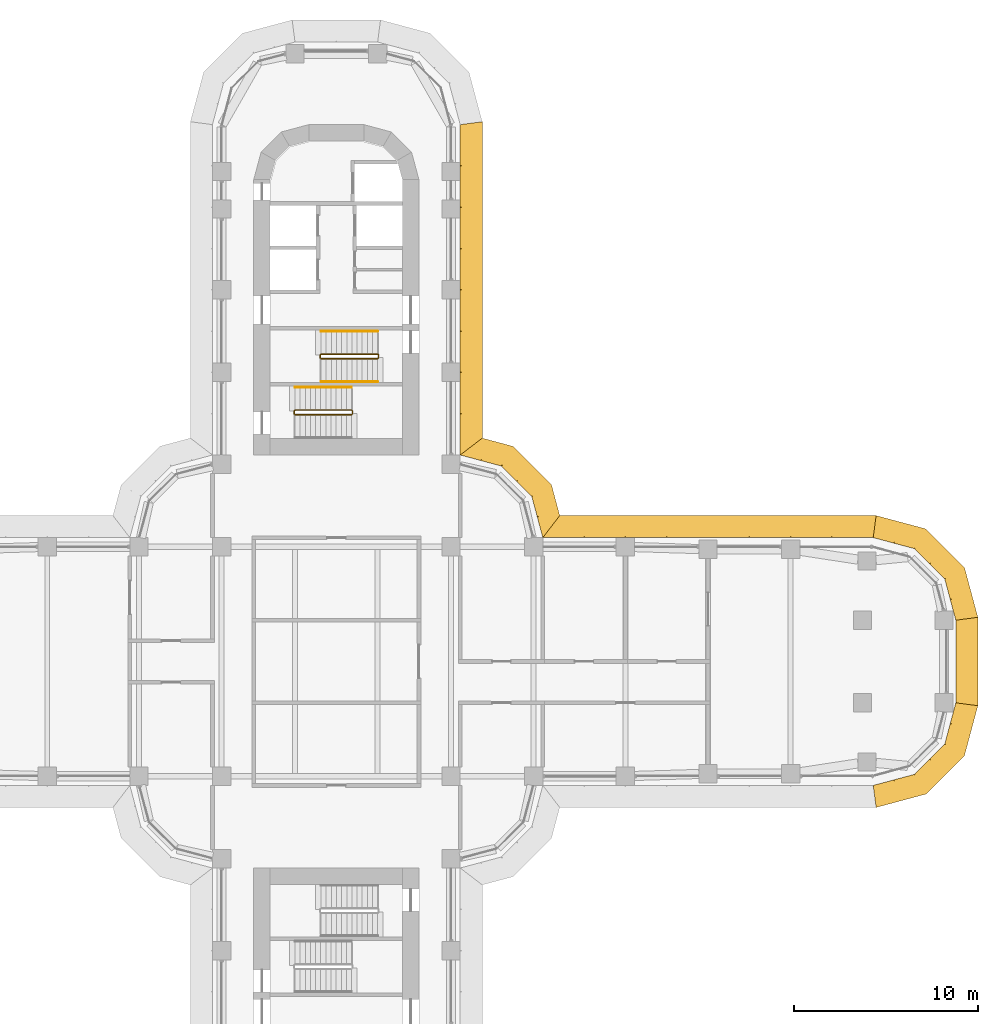
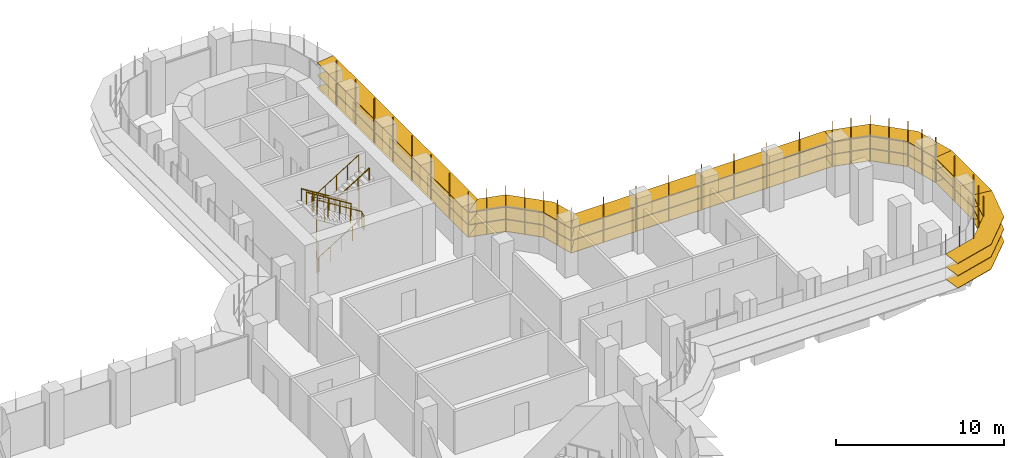
# One storey, part 22 of 23: 6 shading devices, 5 railings.
"""IFC4 building model written with IfcOpenShell, lengths in metres."""

from ifc_helpers import new_model, si_unit, direction, frame, origin, origin_2d, place, context, subcontext, project, spatial, polyline, circle, outline, extrude, faceted_brep, source, transform, mapped, material, type_object, element, save


model = new_model("IFC4")

# Units and contexts
model_context = context("Model", 3, precision=1e-05, world=origin(), true_north=direction((0.0, 1.0)))
body_context = subcontext(model_context, "Body", "Model", "MODEL_VIEW")
ifc_project = project(units=[si_unit("LENGTHUNIT", "METRE"), si_unit("AREAUNIT", "SQUARE_METRE"), si_unit("VOLUMEUNIT", "CUBIC_METRE"), si_unit("PLANEANGLEUNIT", "RADIAN"), si_unit("MASSUNIT", "GRAM", prefix="KILO")], contexts=[model_context])

# Site, building, storey
site_placement = place(None, origin())
site = spatial("IfcSite", under=ifc_project, at=site_placement, CompositionType="ELEMENT")
building_placement = place(site_placement, origin())
building = spatial("IfcBuilding", under=site, at=building_placement, Name="Zarbagh Exchange Tower", CompositionType="ELEMENT")
storey_placement = place(building_placement, frame((0.0, 0.0, 77.39990234375)))
storey = spatial("IfcBuildingStorey", under=building, at=storey_placement, Name="L17", CompositionType="ELEMENT", Elevation=77.39990234375)

# Railings
ifc_material_1 = material(Name="Stainless steel", Category="steel")
railing_type_1 = type_object("IfcRailingType", Name="Stair guard 1100 mm", PredefinedType="GUARDRAIL", material=ifc_material_1)
railing_1_placement = place(storey_placement, frame((-0.830078125, 16.5, 2.275146484375)))
element("IfcRailing", 1, at=railing_1_placement, inside=storey, type_object=railing_type_1, Name="ST1 stair guard 1", PredefinedType="GUARDRAIL", context=body_context, shape_type="SweptSolid", body=[
    extrude(circle(Radius=0.02392578125, at=origin_2d()), frame((0.0, 0.0, 1.076171875), z_axis=(0.847998304005, 0.0, 0.529998940003), x_axis=(0.0, 1.0, 0.0)), (0.0, 0.0, 1.0), 3.632080078125),
    extrude(circle(Radius=0.02392578125, at=origin_2d()), frame((3.080078125, 0.0, 3.0009765625), z_axis=(0.011914141993, 0.011914141993, -0.999858043145), x_axis=(-0.707106781187, 0.707106781187, 0.0)), (0.0, 0.0, 1.0), 4.20068359375),
    extrude(circle(Radius=0.02392578125, at=origin_2d()), frame((3.130126953125, 0.050048828125, -1.19921875), z_axis=(0.0, 1.0, 0.0), x_axis=(-1.0, 0.0, 0.0)), (0.0, 0.0, 1.0), 0.14990234375),
    extrude(circle(Radius=0.02392578125, at=origin_2d()), frame((3.130126953125, 0.199951171875, -1.19921875), z_axis=(-0.265065253269, 0.265065253269, 0.927081885822), x_axis=(-0.707106781187, -0.707106781187, 0.0)), (0.0, 0.0, 1.0), 0.188720703125),
    extrude(circle(Radius=0.02392578125, at=origin_2d()), frame((3.080078125, 0.25, -1.02392578125), z_axis=(-0.847998304005, 0.0, 0.529998940003), x_axis=(0.0, -1.0, 0.0)), (0.0, 0.0, 1.0), 3.632080078125),
    extrude(circle(Radius=0.02392578125, at=origin_2d()), frame((0.0, 0.25, 0.90087890625), z_axis=(-0.705375805398, -0.708833529934, 0.0), x_axis=(0.708833529934, -0.705375805398, 0.0)), (0.0, 0.0, 1.0), 0.070556640625),
    extrude(circle(Radius=0.02392578125, at=origin_2d()), frame((-0.0498046875, 0.199951171875, 0.90087890625), z_axis=(0.0, -1.0, 0.0), x_axis=(1.0, 0.0, 0.0)), (0.0, 0.0, 1.0), 0.14990234375),
    extrude(circle(Radius=0.02099609375, at=origin_2d()), origin(), (0.0, 0.0, 1.0), 1.052001953125),
    extrude(circle(Radius=0.02099609375, at=origin_2d()), frame((0.77001953125, 0.0, 0.481201171875)), (0.0, 0.0, 1.0), 1.052001953125),
    extrude(circle(Radius=0.02099609375, at=origin_2d()), frame((1.5400390625, 0.0, 0.96240234375)), (0.0, 0.0, 1.0), 1.052001953125),
    extrude(circle(Radius=0.02099609375, at=origin_2d()), frame((2.31005859375, 0.0, 1.44384765625)), (0.0, 0.0, 1.0), 1.052001953125),
    extrude(circle(Radius=0.02099609375, at=origin_2d()), frame((3.080078125, 0.0, 1.925048828125)), (0.0, 0.0, 1.0), 1.052001953125),
    extrude(circle(Radius=0.02099609375, at=origin_2d()), frame((3.092529296875, 0.012451171875, 0.875)), (0.0, 0.0, 1.0), 1.052001953125),
    extrude(circle(Radius=0.02099609375, at=origin_2d()), frame((3.10498046875, 0.02490234375, -0.175048828125)), (0.0, 0.0, 1.0), 1.052001953125),
    extrude(circle(Radius=0.02099609375, at=origin_2d()), frame((3.11767578125, 0.03759765625, -1.22509765625)), (0.0, 0.0, 1.0), 1.052001953125),
    extrude(circle(Radius=0.02099609375, at=origin_2d()), frame((3.130126953125, 0.050048828125, -2.275146484375)), (0.0, 0.0, 1.0), 1.052001953125),
    extrude(circle(Radius=0.02099609375, at=origin_2d()), frame((3.130126953125, 0.199951171875, -2.275146484375)), (0.0, 0.0, 1.0), 1.052001953125),
    extrude(circle(Radius=0.02099609375, at=origin_2d()), frame((3.080078125, 0.25, -2.10009765625)), (0.0, 0.0, 1.0), 1.052001953125),
    extrude(circle(Radius=0.02099609375, at=origin_2d()), frame((2.31005859375, 0.25, -1.618896484375)), (0.0, 0.0, 1.0), 1.052001953125),
    extrude(circle(Radius=0.02099609375, at=origin_2d()), frame((1.5400390625, 0.25, -1.1376953125)), (0.0, 0.0, 1.0), 1.052001953125),
    extrude(circle(Radius=0.02099609375, at=origin_2d()), frame((0.77001953125, 0.25, -0.65625)), (0.0, 0.0, 1.0), 1.052001953125),
    extrude(circle(Radius=0.02099609375, at=origin_2d()), frame((0.0, 0.25, -0.175048828125)), (0.0, 0.0, 1.0), 1.052001953125),
    extrude(circle(Radius=0.02099609375, at=origin_2d()), frame((-0.0498046875, 0.199951171875, -0.175048828125)), (0.0, 0.0, 1.0), 1.052001953125),
    extrude(circle(Radius=0.02099609375, at=origin_2d()), frame((-0.0498046875, 0.050048828125, -0.175048828125)), (0.0, 0.0, 1.0), 1.052001953125),
])
railing_2_placement = place(storey_placement, frame((0.8798828125, 13.5, 2.10009765625)))
element("IfcRailing", 2, at=railing_2_placement, inside=storey, type_object=railing_type_1, Name="ST2 stair guard 1", PredefinedType="GUARDRAIL", context=body_context, shape_type="SweptSolid", body=[
    extrude(circle(Radius=0.02392578125, at=origin_2d()), frame((0.0, 0.0, 1.076171875), z_axis=(0.0, 1.0, 0.0), x_axis=(-1.0, 0.0, 0.0)), (0.0, 0.0, 1.0), 0.14990234375),
    extrude(circle(Radius=0.02392578125, at=origin_2d()), frame((0.0, 0.14990234375, 1.076171875), z_axis=(-0.263862480399, 0.265155923931, 0.927399011991), x_axis=(-0.708833529934, -0.705375805398, 0.0)), (0.0, 0.0, 1.0), 0.188720703125),
    extrude(circle(Radius=0.02392578125, at=origin_2d()), frame((-0.0498046875, 0.199951171875, 1.2509765625), z_axis=(-0.847998304005, 0.0, 0.529998940003), x_axis=(0.0, -1.0, 0.0)), (0.0, 0.0, 1.0), 3.632080078125),
    extrude(circle(Radius=0.02392578125, at=origin_2d()), frame((-3.1298828125, 0.199951171875, 3.17626953125), z_axis=(-0.011914141993, -0.011914141993, -0.999858043145), x_axis=(0.707106781187, -0.707106781187, 0.0)), (0.0, 0.0, 1.0), 4.20068359375),
    extrude(circle(Radius=0.02392578125, at=origin_2d()), frame((-3.179931640625, 0.14990234375, -1.02392578125), z_axis=(0.0, -1.0, 0.0), x_axis=(1.0, 0.0, 0.0)), (0.0, 0.0, 1.0), 0.14990234375),
    extrude(circle(Radius=0.02392578125, at=origin_2d()), frame((-3.179931640625, 0.0, -1.02392578125), z_axis=(0.265065253269, -0.265065253269, 0.927081885822), x_axis=(0.707106781187, 0.707106781187, 0.0)), (0.0, 0.0, 1.0), 0.188720703125),
    extrude(circle(Radius=0.02392578125, at=origin_2d()), frame((-3.1298828125, -0.050048828125, -0.84912109375), z_axis=(0.847998304005, 0.0, 0.529998940003), x_axis=(0.0, 1.0, 0.0)), (0.0, 0.0, 1.0), 3.632080078125),
    extrude(circle(Radius=0.02099609375, at=origin_2d()), origin(), (0.0, 0.0, 1.0), 1.052001953125),
    extrude(circle(Radius=0.02099609375, at=origin_2d()), frame((0.0, 0.14990234375, 0.0)), (0.0, 0.0, 1.0), 1.052001953125),
    extrude(circle(Radius=0.02099609375, at=origin_2d()), frame((-0.0498046875, 0.199951171875, 0.175048828125)), (0.0, 0.0, 1.0), 1.052001953125),
    extrude(circle(Radius=0.02099609375, at=origin_2d()), frame((-0.81982421875, 0.199951171875, 0.65625)), (0.0, 0.0, 1.0), 1.052001953125),
    extrude(circle(Radius=0.02099609375, at=origin_2d()), frame((-1.58984375, 0.199951171875, 1.1376953125)), (0.0, 0.0, 1.0), 1.052001953125),
    extrude(circle(Radius=0.02099609375, at=origin_2d()), frame((-2.35986328125, 0.199951171875, 1.618896484375)), (0.0, 0.0, 1.0), 1.052001953125),
    extrude(circle(Radius=0.02099609375, at=origin_2d()), frame((-3.1298828125, 0.199951171875, 2.10009765625)), (0.0, 0.0, 1.0), 1.052001953125),
    extrude(circle(Radius=0.02099609375, at=origin_2d()), frame((-3.142333984375, 0.1875, 1.050048828125)), (0.0, 0.0, 1.0), 1.052001953125),
    extrude(circle(Radius=0.02099609375, at=origin_2d()), frame((-3.15478515625, 0.1748046875, 0.0)), (0.0, 0.0, 1.0), 1.052001953125),
    extrude(circle(Radius=0.02099609375, at=origin_2d()), frame((-3.16748046875, 0.162353515625, -1.050048828125)), (0.0, 0.0, 1.0), 1.052001953125),
    extrude(circle(Radius=0.02099609375, at=origin_2d()), frame((-3.179931640625, 0.14990234375, -2.10009765625)), (0.0, 0.0, 1.0), 1.052001953125),
    extrude(circle(Radius=0.02099609375, at=origin_2d()), frame((-3.179931640625, 0.0, -2.10009765625)), (0.0, 0.0, 1.0), 1.052001953125),
    extrude(circle(Radius=0.02099609375, at=origin_2d()), frame((-3.1298828125, -0.050048828125, -1.925048828125)), (0.0, 0.0, 1.0), 1.052001953125),
    extrude(circle(Radius=0.02099609375, at=origin_2d()), frame((-2.35986328125, -0.050048828125, -1.44384765625)), (0.0, 0.0, 1.0), 1.052001953125),
    extrude(circle(Radius=0.02099609375, at=origin_2d()), frame((-1.58984375, -0.050048828125, -0.96240234375)), (0.0, 0.0, 1.0), 1.052001953125),
    extrude(circle(Radius=0.02099609375, at=origin_2d()), frame((-0.81982421875, -0.050048828125, -0.481201171875)), (0.0, 0.0, 1.0), 1.052001953125),
    extrude(circle(Radius=0.02099609375, at=origin_2d()), frame((-0.0498046875, -0.050048828125, 0.0)), (0.0, 0.0, 1.0), 1.052001953125),
])
railing_type_2 = type_object("IfcRailingType", Name="Stair handrail 900 mm", PredefinedType="HANDRAIL", material=ifc_material_1)
railing_3_placement = place(storey_placement, frame((2.25, 18.0, 0.175048828125)))
element("IfcRailing", 3, at=railing_3_placement, inside=storey, type_object=railing_type_2, Name="ST1 stair handrail 1", PredefinedType="HANDRAIL", context=body_context, shape_type="SweptSolid", body=[
    extrude(circle(Radius=0.02392578125, at=origin_2d()), frame((0.0, 0.0, 0.8759765625), z_axis=(-0.847998304005, 0.0, 0.529998940003), x_axis=(0.0, -1.0, 0.0)), (0.0, 0.0, 1.0), 3.632080078125),
    extrude(circle(Radius=0.02099609375, at=origin_2d()), origin(), (0.0, 0.0, 1.0), 0.851806640625),
    extrude(circle(Radius=0.02099609375, at=origin_2d()), frame((-0.77001953125, 0.0, 0.481201171875)), (0.0, 0.0, 1.0), 0.851806640625),
    extrude(circle(Radius=0.02099609375, at=origin_2d()), frame((-1.5400390625, 0.0, 0.96240234375)), (0.0, 0.0, 1.0), 0.851806640625),
    extrude(circle(Radius=0.02099609375, at=origin_2d()), frame((-2.31005859375, 0.0, 1.44384765625)), (0.0, 0.0, 1.0), 0.851806640625),
    extrude(circle(Radius=0.02099609375, at=origin_2d()), frame((-3.080078125, 0.0, 1.925048828125)), (0.0, 0.0, 1.0), 0.851806640625),
])
railing_4_placement = place(storey_placement, frame((-0.830078125, 15.25, 2.275146484375)))
element("IfcRailing", 4, at=railing_4_placement, inside=storey, type_object=railing_type_2, Name="ST1 stair handrail 2", PredefinedType="HANDRAIL", context=body_context, shape_type="SweptSolid", body=[
    extrude(circle(Radius=0.02392578125, at=origin_2d()), frame((0.0, 0.0, 0.8759765625), z_axis=(0.847998304005, 0.0, 0.529998940003), x_axis=(0.0, 1.0, 0.0)), (0.0, 0.0, 1.0), 3.632080078125),
    extrude(circle(Radius=0.02099609375, at=origin_2d()), origin(), (0.0, 0.0, 1.0), 0.851806640625),
    extrude(circle(Radius=0.02099609375, at=origin_2d()), frame((0.77001953125, 0.0, 0.481201171875)), (0.0, 0.0, 1.0), 0.851806640625),
    extrude(circle(Radius=0.02099609375, at=origin_2d()), frame((1.5400390625, 0.0, 0.96240234375)), (0.0, 0.0, 1.0), 0.851806640625),
    extrude(circle(Radius=0.02099609375, at=origin_2d()), frame((2.31005859375, 0.0, 1.44384765625)), (0.0, 0.0, 1.0), 0.851806640625),
    extrude(circle(Radius=0.02099609375, at=origin_2d()), frame((3.080078125, 0.0, 1.925048828125)), (0.0, 0.0, 1.0), 0.851806640625),
])
railing_5_placement = place(storey_placement, frame((0.830078125, 14.949951171875, 2.275146484375)))
element("IfcRailing", 5, at=railing_5_placement, inside=storey, type_object=railing_type_2, Name="ST2 stair handrail 2", PredefinedType="HANDRAIL", context=body_context, shape_type="SweptSolid", body=[
    extrude(circle(Radius=0.02392578125, at=origin_2d()), frame((0.0, 0.0, 0.8759765625), z_axis=(-0.847998304005, 0.0, 0.529998940003), x_axis=(0.0, -1.0, 0.0)), (0.0, 0.0, 1.0), 3.632080078125),
    extrude(circle(Radius=0.02099609375, at=origin_2d()), origin(), (0.0, 0.0, 1.0), 0.851806640625),
    extrude(circle(Radius=0.02099609375, at=origin_2d()), frame((-0.77001953125, 0.0, 0.481201171875)), (0.0, 0.0, 1.0), 0.851806640625),
    extrude(circle(Radius=0.02099609375, at=origin_2d()), frame((-1.5400390625, 0.0, 0.96240234375)), (0.0, 0.0, 1.0), 0.851806640625),
    extrude(circle(Radius=0.02099609375, at=origin_2d()), frame((-2.31005859375, 0.0, 1.44384765625)), (0.0, 0.0, 1.0), 0.851806640625),
    extrude(circle(Radius=0.02099609375, at=origin_2d()), frame((-3.080078125, 0.0, 1.925048828125)), (0.0, 0.0, 1.0), 0.851806640625),
])

# Shading devices
ifc_material_2 = material(Name="Anodised aluminium blades and brackets", Category="aluminium")
shading_device_type = type_object("IfcShadingDeviceType", Name="SUNSHADE louvre band, 0 degree blades", PredefinedType="JALOUSIE", material=ifc_material_2)
shared_shape_1 = source(origin(), body_context, "Body", "Brep", [
    faceted_brep([(0.0, 0.0, 0.0), (0.0, 0.0, -0.0400390625), (-0.157958984375, -1.199951171875, -0.0400390625), (-0.157958984375, -1.199951171875, 0.0), (2.65087890625, -1.199951171875, 0.0), (2.65087890625, -1.199951171875, -0.0400390625), (2.329345703125, 0.0, -0.0400390625), (2.329345703125, 0.0, 0.0)], [[[0, 1, 2, 3]], [[4, 5, 6, 7]], [[0, 7, 6, 1]], [[1, 6, 5, 2]], [[2, 5, 4, 3]], [[3, 4, 7, 0]]]),
])
shared_shape_2 = source(origin(), body_context, "Body", "Brep", [
    faceted_brep([(0.0, 0.0, 0.0), (0.0, 0.0, -0.0400390625), (-0.321533203125, -1.199951171875, -0.0400390625), (-0.321533203125, -1.199951171875, 0.0), (2.65087890625, -1.199951171875, 0.0), (2.65087890625, -1.199951171875, -0.0400390625), (2.329345703125, 0.0, -0.0400390625), (2.329345703125, 0.0, 0.0)], [[[0, 1, 2, 3]], [[4, 5, 6, 7]], [[0, 7, 6, 1]], [[1, 6, 5, 2]], [[2, 5, 4, 3]], [[3, 4, 7, 0]]]),
])
shared_shape_3 = source(origin(), body_context, "Body", "Brep", [
    faceted_brep([(0.0, 0.0, 0.0), (0.0, 0.0, -0.0400390625), (-0.321533203125, -1.199951171875, -0.0400390625), (-0.321533203125, -1.199951171875, 0.0), (2.4873046875, -1.199951171875, 0.0), (2.4873046875, -1.199951171875, -0.0400390625), (2.329345703125, 0.0, -0.0400390625), (2.329345703125, 0.0, 0.0)], [[[0, 1, 2, 3]], [[4, 5, 6, 7]], [[0, 7, 6, 1]], [[1, 6, 5, 2]], [[2, 5, 4, 3]], [[3, 4, 7, 0]]]),
])
shared_shape_4 = source(origin(), body_context, "Body", "SweptSolid", [
    extrude(outline(polyline([(0.0, -0.012451171875), (0.06005859375, -0.012451171875), (0.06005859375, 0.012451171875), (0.0, 0.012451171875), (0.0, -0.012451171875)])), origin(), (0.0, 0.0, 1.0), 3.35009765625),
])
placement = place(storey_placement, origin())
element("IfcShadingDevice", 6, at=placement, inside=storey, type_object=shading_device_type, Name="SS05 sunshade band", PredefinedType="JALOUSIE", context=body_context, shape_type="MappedRepresentation", body=[
    mapped(shared_shape_1, transform((29.25, -6.75, 2.7001953125), x_axis=(0.965924289636, 0.258824779902, 0.0), y_axis=(-0.258824779902, 0.965924289636, 0.0), z_axis=(0.0, 0.0, 1.0))),
    mapped(shared_shape_1, transform((29.25, -6.75, 1.800048828125), x_axis=(0.965924289636, 0.258824779902, 0.0), y_axis=(-0.258824779902, 0.965924289636, 0.0), z_axis=(0.0, 0.0, 1.0))),
    mapped(shared_shape_1, transform((29.25, -6.75, 0.900146484375), x_axis=(0.965924289636, 0.258824779902, 0.0), y_axis=(-0.258824779902, 0.965924289636, 0.0), z_axis=(0.0, 0.0, 1.0))),
    mapped(shared_shape_2, transform((31.5, -6.147216796875, 2.7001953125), x_axis=(0.707106781187, 0.707106781187, 0.0), y_axis=(-0.707106781187, 0.707106781187, 0.0), z_axis=(0.0, 0.0, 1.0))),
    mapped(shared_shape_2, transform((31.5, -6.147216796875, 1.800048828125), x_axis=(0.707106781187, 0.707106781187, 0.0), y_axis=(-0.707106781187, 0.707106781187, 0.0), z_axis=(0.0, 0.0, 1.0))),
    mapped(shared_shape_2, transform((31.5, -6.147216796875, 0.900146484375), x_axis=(0.707106781187, 0.707106781187, 0.0), y_axis=(-0.707106781187, 0.707106781187, 0.0), z_axis=(0.0, 0.0, 1.0))),
    mapped(shared_shape_3, transform((33.147216796875, -4.5, 2.7001953125), x_axis=(0.258824779902, 0.965924289636, 0.0), y_axis=(-0.965924289636, 0.258824779902, 0.0), z_axis=(0.0, 0.0, 1.0))),
    mapped(shared_shape_3, transform((33.147216796875, -4.5, 1.800048828125), x_axis=(0.258824779902, 0.965924289636, 0.0), y_axis=(-0.965924289636, 0.258824779902, 0.0), z_axis=(0.0, 0.0, 1.0))),
    mapped(shared_shape_3, transform((33.147216796875, -4.5, 0.900146484375), x_axis=(0.258824779902, 0.965924289636, 0.0), y_axis=(-0.965924289636, 0.258824779902, 0.0), z_axis=(0.0, 0.0, 1.0))),
    mapped(shared_shape_4, transform((29.25, -6.75, 0.830078125), x_axis=(0.130529263012, -0.991444457092, 0.0), y_axis=(0.991444457092, 0.130529263012, 0.0), z_axis=(0.0, 0.0, 1.0))),
    mapped(shared_shape_4, transform((30.375, -6.448486328125, 0.830078125), x_axis=(0.258825058029, -0.96592421511, 0.0), y_axis=(0.96592421511, 0.258825058029, 0.0), z_axis=(0.0, 0.0, 1.0))),
    mapped(shared_shape_4, transform((31.5, -6.147216796875, 0.830078125), x_axis=(0.50000275701, -0.866023812018, 0.0), y_axis=(0.866023812018, 0.50000275701, 0.0), z_axis=(0.0, 0.0, 1.0))),
    mapped(shared_shape_4, transform((32.323486328125, -5.323486328125, 0.830078125), x_axis=(0.707106781187, -0.707106781187, 0.0), y_axis=(0.707106781187, 0.707106781187, 0.0), z_axis=(0.0, 0.0, 1.0))),
    mapped(shared_shape_4, transform((33.147216796875, -4.5, 0.830078125), x_axis=(0.866023812018, -0.50000275701, 0.0), y_axis=(0.50000275701, 0.866023812018, 0.0), z_axis=(0.0, 0.0, 1.0))),
    mapped(shared_shape_4, transform((33.448486328125, -3.375, 0.830078125), x_axis=(0.96592421511, -0.258825058029, 0.0), y_axis=(0.258825058029, 0.96592421511, 0.0), z_axis=(0.0, 0.0, 1.0))),
])
element("IfcShadingDevice", 7, at=placement, inside=storey, type_object=shading_device_type, Name="SS07 sunshade band", PredefinedType="JALOUSIE", context=body_context, shape_type="MappedRepresentation", body=[
    mapped(shared_shape_1, transform((33.75, 2.25, 2.7001953125), x_axis=(-0.258824779902, 0.965924289636, 0.0), y_axis=(-0.965924289636, -0.258824779902, 0.0), z_axis=(0.0, 0.0, 1.0))),
    mapped(shared_shape_1, transform((33.75, 2.25, 1.800048828125), x_axis=(-0.258824779902, 0.965924289636, 0.0), y_axis=(-0.965924289636, -0.258824779902, 0.0), z_axis=(0.0, 0.0, 1.0))),
    mapped(shared_shape_1, transform((33.75, 2.25, 0.900146484375), x_axis=(-0.258824779902, 0.965924289636, 0.0), y_axis=(-0.965924289636, -0.258824779902, 0.0), z_axis=(0.0, 0.0, 1.0))),
    mapped(shared_shape_2, transform((33.147216796875, 4.5, 2.7001953125), x_axis=(-0.707106781187, 0.707106781187, 0.0), y_axis=(-0.707106781187, -0.707106781187, 0.0), z_axis=(0.0, 0.0, 1.0))),
    mapped(shared_shape_2, transform((33.147216796875, 4.5, 1.800048828125), x_axis=(-0.707106781187, 0.707106781187, 0.0), y_axis=(-0.707106781187, -0.707106781187, 0.0), z_axis=(0.0, 0.0, 1.0))),
    mapped(shared_shape_2, transform((33.147216796875, 4.5, 0.900146484375), x_axis=(-0.707106781187, 0.707106781187, 0.0), y_axis=(-0.707106781187, -0.707106781187, 0.0), z_axis=(0.0, 0.0, 1.0))),
    mapped(shared_shape_3, transform((31.5, 6.147216796875, 2.7001953125), x_axis=(-0.965924289636, 0.258824779902, 0.0), y_axis=(-0.258824779902, -0.965924289636, 0.0), z_axis=(0.0, 0.0, 1.0))),
    mapped(shared_shape_3, transform((31.5, 6.147216796875, 1.800048828125), x_axis=(-0.965924289636, 0.258824779902, 0.0), y_axis=(-0.258824779902, -0.965924289636, 0.0), z_axis=(0.0, 0.0, 1.0))),
    mapped(shared_shape_3, transform((31.5, 6.147216796875, 0.900146484375), x_axis=(-0.965924289636, 0.258824779902, 0.0), y_axis=(-0.258824779902, -0.965924289636, 0.0), z_axis=(0.0, 0.0, 1.0))),
    mapped(shared_shape_4, transform((33.75, 2.25, 0.830078125), x_axis=(0.991444457092, 0.130529263012, 0.0), y_axis=(-0.130529263012, 0.991444457092, 0.0), z_axis=(0.0, 0.0, 1.0))),
    mapped(shared_shape_4, transform((33.448486328125, 3.375, 0.830078125), x_axis=(0.96592421511, 0.258825058029, 0.0), y_axis=(-0.258825058029, 0.96592421511, 0.0), z_axis=(0.0, 0.0, 1.0))),
    mapped(shared_shape_4, transform((33.147216796875, 4.5, 0.830078125), x_axis=(0.866023812018, 0.50000275701, 0.0), y_axis=(-0.50000275701, 0.866023812018, 0.0), z_axis=(0.0, 0.0, 1.0))),
    mapped(shared_shape_4, transform((32.323486328125, 5.323486328125, 0.830078125), x_axis=(0.707106781187, 0.707106781187, 0.0), y_axis=(-0.707106781187, 0.707106781187, 0.0), z_axis=(0.0, 0.0, 1.0))),
    mapped(shared_shape_4, transform((31.5, 6.147216796875, 0.830078125), x_axis=(0.50000275701, 0.866023812018, 0.0), y_axis=(-0.866023812018, 0.50000275701, 0.0), z_axis=(0.0, 0.0, 1.0))),
    mapped(shared_shape_4, transform((30.375, 6.448486328125, 0.830078125), x_axis=(0.258825058029, 0.96592421511, 0.0), y_axis=(-0.96592421511, 0.258825058029, 0.0), z_axis=(0.0, 0.0, 1.0))),
])
shared_shape_5 = source(origin(), body_context, "Body", "Brep", [
    faceted_brep([(0.0, 0.0, 0.0), (0.0, 0.0, -0.0400390625), (0.9208984375, -1.199951171875, -0.0400390625), (0.9208984375, -1.199951171875, 0.0), (2.65087890625, -1.199951171875, 0.0), (2.65087890625, -1.199951171875, -0.0400390625), (2.329345703125, 0.0, -0.0400390625), (2.329345703125, 0.0, 0.0)], [[[0, 1, 2, 3]], [[4, 5, 6, 7]], [[0, 7, 6, 1]], [[1, 6, 5, 2]], [[2, 5, 4, 3]], [[3, 4, 7, 0]]]),
])
shared_shape_6 = source(origin(), body_context, "Body", "Brep", [
    faceted_brep([(0.0, 0.0, 0.0), (0.0, 0.0, -0.0400390625), (-0.321533203125, -1.199951171875, -0.0400390625), (-0.321533203125, -1.199951171875, 0.0), (1.40869140625, -1.199951171875, 0.0), (1.40869140625, -1.199951171875, -0.0400390625), (2.329345703125, 0.0, -0.0400390625), (2.329345703125, 0.0, 0.0)], [[[0, 1, 2, 3]], [[4, 5, 6, 7]], [[0, 7, 6, 1]], [[1, 6, 5, 2]], [[2, 5, 4, 3]], [[3, 4, 7, 0]]]),
])
element("IfcShadingDevice", 8, at=placement, inside=storey, type_object=shading_device_type, Name="SS09 sunshade band", PredefinedType="JALOUSIE", context=body_context, shape_type="MappedRepresentation", body=[
    mapped(shared_shape_5, transform((11.25, 6.75, 2.7001953125), x_axis=(-0.258824779902, 0.965924289636, 0.0), y_axis=(-0.965924289636, -0.258824779902, 0.0), z_axis=(0.0, 0.0, 1.0))),
    mapped(shared_shape_5, transform((11.25, 6.75, 1.800048828125), x_axis=(-0.258824779902, 0.965924289636, 0.0), y_axis=(-0.965924289636, -0.258824779902, 0.0), z_axis=(0.0, 0.0, 1.0))),
    mapped(shared_shape_5, transform((11.25, 6.75, 0.900146484375), x_axis=(-0.258824779902, 0.965924289636, 0.0), y_axis=(-0.965924289636, -0.258824779902, 0.0), z_axis=(0.0, 0.0, 1.0))),
    mapped(shared_shape_2, transform((10.647216796875, 9.0, 2.7001953125), x_axis=(-0.707106781187, 0.707106781187, 0.0), y_axis=(-0.707106781187, -0.707106781187, 0.0), z_axis=(0.0, 0.0, 1.0))),
    mapped(shared_shape_2, transform((10.647216796875, 9.0, 1.800048828125), x_axis=(-0.707106781187, 0.707106781187, 0.0), y_axis=(-0.707106781187, -0.707106781187, 0.0), z_axis=(0.0, 0.0, 1.0))),
    mapped(shared_shape_2, transform((10.647216796875, 9.0, 0.900146484375), x_axis=(-0.707106781187, 0.707106781187, 0.0), y_axis=(-0.707106781187, -0.707106781187, 0.0), z_axis=(0.0, 0.0, 1.0))),
    mapped(shared_shape_6, transform((9.0, 10.647216796875, 2.7001953125), x_axis=(-0.965924289636, 0.258824779902, 0.0), y_axis=(-0.258824779902, -0.965924289636, 0.0), z_axis=(0.0, 0.0, 1.0))),
    mapped(shared_shape_6, transform((9.0, 10.647216796875, 1.800048828125), x_axis=(-0.965924289636, 0.258824779902, 0.0), y_axis=(-0.258824779902, -0.965924289636, 0.0), z_axis=(0.0, 0.0, 1.0))),
    mapped(shared_shape_6, transform((9.0, 10.647216796875, 0.900146484375), x_axis=(-0.965924289636, 0.258824779902, 0.0), y_axis=(-0.258824779902, -0.965924289636, 0.0), z_axis=(0.0, 0.0, 1.0))),
    mapped(shared_shape_4, transform((11.25, 6.75, 0.830078125), x_axis=(0.608758892, 0.793355287, 0.0), y_axis=(-0.793355287, 0.608758892, 0.0), z_axis=(0.0, 0.0, 1.0))),
    mapped(shared_shape_4, transform((10.948486328125, 7.875, 0.830078125), x_axis=(0.96592421511, 0.258825058029, 0.0), y_axis=(-0.258825058029, 0.96592421511, 0.0), z_axis=(0.0, 0.0, 1.0))),
    mapped(shared_shape_4, transform((10.647216796875, 9.0, 0.830078125), x_axis=(0.866023812018, 0.50000275701, 0.0), y_axis=(-0.50000275701, 0.866023812018, 0.0), z_axis=(0.0, 0.0, 1.0))),
    mapped(shared_shape_4, transform((9.823486328125, 9.823486328125, 0.830078125), x_axis=(0.707106781187, 0.707106781187, 0.0), y_axis=(-0.707106781187, 0.707106781187, 0.0), z_axis=(0.0, 0.0, 1.0))),
    mapped(shared_shape_4, transform((9.0, 10.647216796875, 0.830078125), x_axis=(0.50000275701, 0.866023812018, 0.0), y_axis=(-0.866023812018, 0.50000275701, 0.0), z_axis=(0.0, 0.0, 1.0))),
    mapped(shared_shape_4, transform((7.875, 10.948486328125, 0.830078125), x_axis=(0.258825058029, 0.96592421511, 0.0), y_axis=(-0.96592421511, 0.258825058029, 0.0), z_axis=(0.0, 0.0, 1.0))),
])
shared_shape_7 = source(origin(), body_context, "Body", "Brep", [
    faceted_brep([(0.0, 0.0, 0.0), (0.0, 0.0, -0.0400390625), (-0.157958984375, -1.199951171875, -0.0400390625), (-0.157958984375, -1.199951171875, 0.0), (4.657958984375, -1.199951171875, 0.0), (4.657958984375, -1.199951171875, -0.0400390625), (4.5, 0.0, -0.0400390625), (4.5, 0.0, 0.0)], [[[0, 1, 2, 3]], [[4, 5, 6, 7]], [[0, 7, 6, 1]], [[1, 6, 5, 2]], [[2, 5, 4, 3]], [[3, 4, 7, 0]]]),
])
element("IfcShadingDevice", 9, at=placement, inside=storey, type_object=shading_device_type, Name="SS06 sunshade band", PredefinedType="JALOUSIE", context=body_context, shape_type="MappedRepresentation", body=[
    mapped(shared_shape_7, transform((33.75, -2.25, 2.7001953125), x_axis=(0.0, 1.0, 0.0), y_axis=(-1.0, 0.0, 0.0), z_axis=(0.0, 0.0, 1.0))),
    mapped(shared_shape_7, transform((33.75, -2.25, 1.800048828125), x_axis=(0.0, 1.0, 0.0), y_axis=(-1.0, 0.0, 0.0), z_axis=(0.0, 0.0, 1.0))),
    mapped(shared_shape_7, transform((33.75, -2.25, 0.900146484375), x_axis=(0.0, 1.0, 0.0), y_axis=(-1.0, 0.0, 0.0), z_axis=(0.0, 0.0, 1.0))),
    mapped(shared_shape_4, transform((33.75, -2.25, 0.830078125), x_axis=(0.991444457092, -0.130529263012, 0.0), y_axis=(0.130529263012, 0.991444457092, 0.0), z_axis=(0.0, 0.0, 1.0))),
    mapped(shared_shape_4, transform((33.75, 0.0, 0.830078125), x_axis=(1.0, 0.0, 0.0), y_axis=(0.0, 1.0, 0.0), z_axis=(0.0, 0.0, 1.0))),
])
shared_shape_8 = source(origin(), body_context, "Body", "Brep", [
    faceted_brep([(0.0, 0.0, 0.0), (0.0, 0.0, -0.0400390625), (-0.157958984375, -1.199951171875, -0.0400390625), (-0.157958984375, -1.199951171875, 0.0), (17.0791015625, -1.199951171875, 0.0), (17.0791015625, -1.199951171875, -0.0400390625), (18.0, 0.0, -0.0400390625), (18.0, 0.0, 0.0)], [[[0, 1, 2, 3]], [[4, 5, 6, 7]], [[0, 7, 6, 1]], [[1, 6, 5, 2]], [[2, 5, 4, 3]], [[3, 4, 7, 0]]]),
])
element("IfcShadingDevice", 10, at=placement, inside=storey, type_object=shading_device_type, Name="SS08 sunshade band", PredefinedType="JALOUSIE", context=body_context, shape_type="MappedRepresentation", body=[
    mapped(shared_shape_8, transform((29.25, 6.75, 2.7001953125), x_axis=(-1.0, 0.0, 0.0), y_axis=(0.0, -1.0, 0.0), z_axis=(0.0, 0.0, 1.0))),
    mapped(shared_shape_8, transform((29.25, 6.75, 1.800048828125), x_axis=(-1.0, 0.0, 0.0), y_axis=(0.0, -1.0, 0.0), z_axis=(0.0, 0.0, 1.0))),
    mapped(shared_shape_8, transform((29.25, 6.75, 0.900146484375), x_axis=(-1.0, 0.0, 0.0), y_axis=(0.0, -1.0, 0.0), z_axis=(0.0, 0.0, 1.0))),
    mapped(shared_shape_4, transform((29.25, 6.75, 0.830078125), x_axis=(0.130529263012, 0.991444457092, 0.0), y_axis=(-0.991444457092, 0.130529263012, 0.0), z_axis=(0.0, 0.0, 1.0))),
    mapped(shared_shape_4, transform((27.0, 6.75, 0.830078125), x_axis=(0.0, 1.0, 0.0), y_axis=(-1.0, 0.0, 0.0), z_axis=(0.0, 0.0, 1.0))),
    mapped(shared_shape_4, transform((24.75, 6.75, 0.830078125), x_axis=(0.0, 1.0, 0.0), y_axis=(-1.0, 0.0, 0.0), z_axis=(0.0, 0.0, 1.0))),
    mapped(shared_shape_4, transform((22.5, 6.75, 0.830078125), x_axis=(0.0, 1.0, 0.0), y_axis=(-1.0, 0.0, 0.0), z_axis=(0.0, 0.0, 1.0))),
    mapped(shared_shape_4, transform((20.25, 6.75, 0.830078125), x_axis=(0.0, 1.0, 0.0), y_axis=(-1.0, 0.0, 0.0), z_axis=(0.0, 0.0, 1.0))),
    mapped(shared_shape_4, transform((18.0, 6.75, 0.830078125), x_axis=(0.0, 1.0, 0.0), y_axis=(-1.0, 0.0, 0.0), z_axis=(0.0, 0.0, 1.0))),
    mapped(shared_shape_4, transform((15.75, 6.75, 0.830078125), x_axis=(0.0, 1.0, 0.0), y_axis=(-1.0, 0.0, 0.0), z_axis=(0.0, 0.0, 1.0))),
    mapped(shared_shape_4, transform((13.5, 6.75, 0.830078125), x_axis=(0.0, 1.0, 0.0), y_axis=(-1.0, 0.0, 0.0), z_axis=(0.0, 0.0, 1.0))),
])
shared_shape_9 = source(origin(), body_context, "Body", "Brep", [
    faceted_brep([(0.0, 0.0, 0.0), (0.0, 0.0, -0.0400390625), (0.9208984375, -1.199951171875, -0.0400390625), (0.9208984375, -1.199951171875, 0.0), (18.157958984375, -1.199951171875, 0.0), (18.157958984375, -1.199951171875, -0.0400390625), (18.0, 0.0, -0.0400390625), (18.0, 0.0, 0.0)], [[[0, 1, 2, 3]], [[4, 5, 6, 7]], [[0, 7, 6, 1]], [[1, 6, 5, 2]], [[2, 5, 4, 3]], [[3, 4, 7, 0]]]),
])
element("IfcShadingDevice", 11, at=placement, inside=storey, type_object=shading_device_type, Name="SS10 sunshade band", PredefinedType="JALOUSIE", context=body_context, shape_type="MappedRepresentation", body=[
    mapped(shared_shape_9, transform((6.75, 11.25, 2.7001953125), x_axis=(0.0, 1.0, 0.0), y_axis=(-1.0, 0.0, 0.0), z_axis=(0.0, 0.0, 1.0))),
    mapped(shared_shape_9, transform((6.75, 11.25, 1.800048828125), x_axis=(0.0, 1.0, 0.0), y_axis=(-1.0, 0.0, 0.0), z_axis=(0.0, 0.0, 1.0))),
    mapped(shared_shape_9, transform((6.75, 11.25, 0.900146484375), x_axis=(0.0, 1.0, 0.0), y_axis=(-1.0, 0.0, 0.0), z_axis=(0.0, 0.0, 1.0))),
    mapped(shared_shape_4, transform((6.75, 11.25, 0.830078125), x_axis=(0.793355287, 0.608758892, 0.0), y_axis=(-0.608758892, 0.793355287, 0.0), z_axis=(0.0, 0.0, 1.0))),
    mapped(shared_shape_4, transform((6.75, 13.5, 0.830078125), x_axis=(1.0, 0.0, 0.0), y_axis=(0.0, 1.0, 0.0), z_axis=(0.0, 0.0, 1.0))),
    mapped(shared_shape_4, transform((6.75, 15.75, 0.830078125), x_axis=(1.0, 0.0, 0.0), y_axis=(0.0, 1.0, 0.0), z_axis=(0.0, 0.0, 1.0))),
    mapped(shared_shape_4, transform((6.75, 18.0, 0.830078125), x_axis=(1.0, 0.0, 0.0), y_axis=(0.0, 1.0, 0.0), z_axis=(0.0, 0.0, 1.0))),
    mapped(shared_shape_4, transform((6.75, 20.25, 0.830078125), x_axis=(1.0, 0.0, 0.0), y_axis=(0.0, 1.0, 0.0), z_axis=(0.0, 0.0, 1.0))),
    mapped(shared_shape_4, transform((6.75, 22.5, 0.830078125), x_axis=(1.0, 0.0, 0.0), y_axis=(0.0, 1.0, 0.0), z_axis=(0.0, 0.0, 1.0))),
    mapped(shared_shape_4, transform((6.75, 24.75, 0.830078125), x_axis=(1.0, 0.0, 0.0), y_axis=(0.0, 1.0, 0.0), z_axis=(0.0, 0.0, 1.0))),
    mapped(shared_shape_4, transform((6.75, 27.0, 0.830078125), x_axis=(1.0, 0.0, 0.0), y_axis=(0.0, 1.0, 0.0), z_axis=(0.0, 0.0, 1.0))),
])

save(model, "model.ifc")
